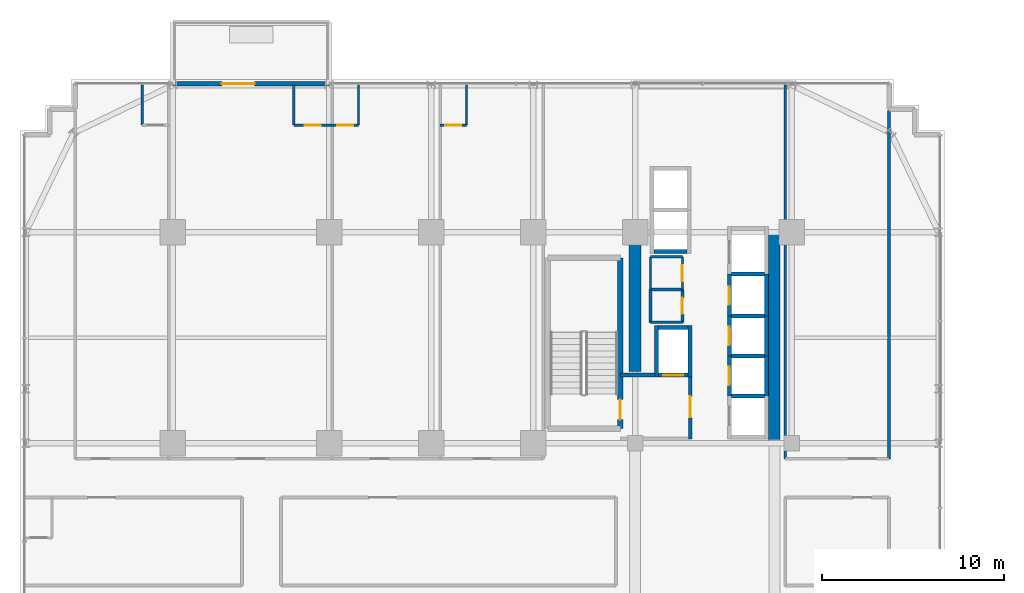
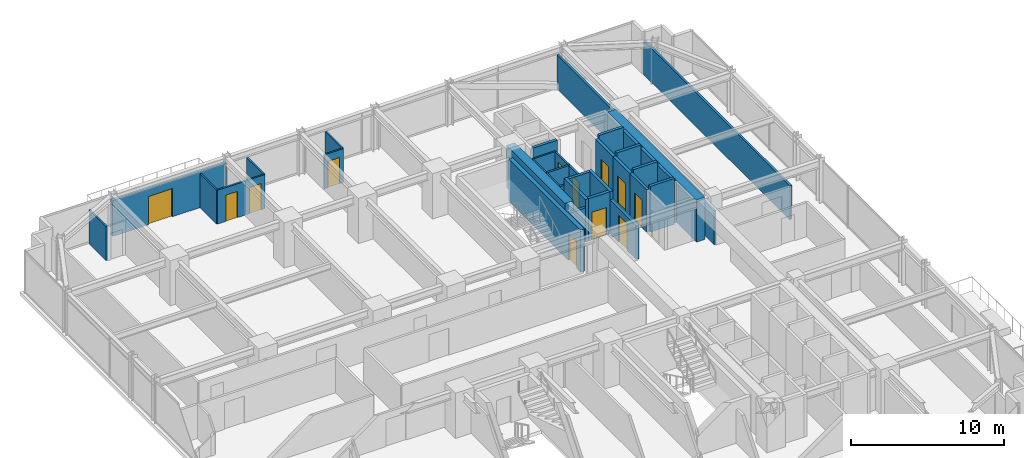
# One storey, part 31 of 35: 37 walls, 12 doors, 12 openings.
"""IFC4 building model written with IfcOpenShell, lengths in metres."""

from ifc_helpers import new_model, si_unit, direction, frame, frame_2d, origin, place, context, subcontext, project, spatial, rectangle, extrude, source, transform, mapped, material, layer, layer_set, type_object, element, fill, save


model = new_model("IFC4")

# Units and contexts
model_context = context("Model", 3, precision=1e-05, world=origin(), true_north=direction((0.0, 1.0)))
body_context = subcontext(model_context, "Body", "Model", "MODEL_VIEW")
ifc_project = project(units=[si_unit("LENGTHUNIT", "METRE"), si_unit("AREAUNIT", "SQUARE_METRE"), si_unit("VOLUMEUNIT", "CUBIC_METRE"), si_unit("PLANEANGLEUNIT", "RADIAN"), si_unit("MASSUNIT", "GRAM", prefix="KILO")], contexts=[model_context])

# Site, building, storey
site_placement = place(None, origin())
site = spatial("IfcSite", under=ifc_project, at=site_placement, CompositionType="ELEMENT")
building_placement = place(site_placement, origin())
building = spatial("IfcBuilding", under=site, at=building_placement, Name="Nahalor Promenade Grand Hotel", CompositionType="ELEMENT")
storey_placement = place(building_placement, frame((0.0, 0.0, 39.699951171875)))
storey = spatial("IfcBuildingStorey", under=building, at=storey_placement, Name="L08", CompositionType="ELEMENT", Elevation=39.699951171875)

# Walls
ifc_material_1 = material(Name="Concrete B-60 (C50/60)", Category="concrete")
ifc_layer_1 = layer(ifc_material_1, 0.64990234375)
ifc_layer_set_1 = layer_set([ifc_layer_1], Name="Concrete B-60 (C50/60)")
wall_type_1 = type_object("IfcWallType", Name="Wall-CoreShear-650", PredefinedType="SHEAR", material=ifc_layer_set_1)
shared_shape_1 = source(origin(), body_context, "Body", "SweptSolid", [
    extrude(rectangle(XDim=7.64990234375, YDim=0.64990234375, at=frame_2d((3.824951171875, 0.0))), origin(), (0.0, 0.0, 1.0), 3.3701171875),
])
wall_1_placement = place(storey_placement, frame((8.39990234375, 9.35009765625, 0.0), z_axis=(0.0, 0.0, 1.0), x_axis=(0.0, 1.0, 0.0)))
element("IfcWall", 1, at=wall_1_placement, inside=storey, type_object=wall_type_1, Name="CWALL-L08-NW", PredefinedType="SHEAR", context=body_context, shape_type="MappedRepresentation", body=[
    mapped(shared_shape_1, transform((0.0, 0.0, 0.0), scale=1.0)),
])
shared_shape_2 = source(origin(), body_context, "Body", "SweptSolid", [
    extrude(rectangle(XDim=11.60009765625, YDim=0.64990234375, at=frame_2d((5.800048828125, 0.0))), origin(), (0.0, 0.0, 1.0), 3.3701171875),
])
wall_2_placement = place(storey_placement, frame((16.050048828125, 5.39990234375, 0.0), z_axis=(0.0, 0.0, 1.0), x_axis=(0.0, 1.0, 0.0)))
element("IfcWall", 2, at=wall_2_placement, inside=storey, type_object=wall_type_1, Name="CWALL-L08-NE", PredefinedType="SHEAR", context=body_context, shape_type="MappedRepresentation", body=[
    mapped(shared_shape_2, transform((0.0, 0.0, 0.0), scale=1.0)),
])

# Wall, opening, door
ifc_material_2 = material(Name="Concrete B-50 (C40/50)", Category="concrete")
ifc_layer_2 = layer(ifc_material_2, 0.300048828125)
ifc_layer_set_2 = layer_set([ifc_layer_2], Name="Concrete B-50 (C40/50)")
wall_type_2 = type_object("IfcWallType", Name="Wall-ShaftShear-300", PredefinedType="SHEAR", material=ifc_layer_set_2)
shared_shape_3 = source(origin(), body_context, "Body", "SweptSolid", [
    extrude(rectangle(XDim=9.380126953125, YDim=0.300048828125, at=frame_2d((4.68994140625, 0.0))), origin(), (0.0, 0.0, 1.0), 3.3701171875),
])
wall_3_placement = place(storey_placement, frame((7.590087890625, 6.2099609375, 0.0), z_axis=(0.0, 0.0, 1.0), x_axis=(0.0, 1.0, 0.0)))
wall_3 = element("IfcWall", 3, at=wall_3_placement, inside=storey, type_object=wall_type_2, Name="L08 Exit Stair ST1 Shaft Wall E", PredefinedType="SHEAR", context=body_context, shape_type="MappedRepresentation", body=[
    mapped(shared_shape_3, transform((0.0, 0.0, 0.0), scale=1.0)),
])
opening_1_placement = place(wall_3_placement, frame((0.489990234375, 0.0, 0.0)))
opening_1 = element("IfcOpeningElement", 4, at=opening_1_placement, cuts=wall_3, Name="Opening D-ST1", PredefinedType="OPENING", context=body_context, shape_type="SweptSolid", body=[
    extrude(rectangle(XDim=1.10009765625, YDim=2.14990234375, at=frame_2d((0.550048828125, 1.074951171875))), frame((0.0, 0.159912109375, 0.0), z_axis=(0.0, -1.0, 0.0), x_axis=(1.0, 0.0, 0.0)), (0.0, 0.0, 1.0), 0.320068359375),
])
ifc_material_3 = material(Name="Steel S355JR", Category="steel")
door_type_1 = type_object("IfcDoorType", Name="Door-StairFire-1100", OperationType="NOTDEFINED", PredefinedType="DOOR", material=ifc_material_3)
shared_shape_4 = source(origin(), body_context, "Body", "SweptSolid", [
    extrude(rectangle(XDim=1.10009765625, YDim=2.14990234375, at=frame_2d((0.550048828125, 1.074951171875))), frame((0.0, 0.02490234375, 0.0), z_axis=(0.0, -1.0, 0.0), x_axis=(1.0, 0.0, 0.0)), (0.0, 0.0, 1.0), 0.050048828125),
])
door_1_placement = place(opening_1_placement, origin())
door_1 = element("IfcDoor", 5, at=door_1_placement, inside=storey, type_object=door_type_1, Name="DR-STAIR-ST1-L08", OperationType="SINGLE_SWING_LEFT", OverallHeight=2.14990234375, OverallWidth=1.10009765625, PredefinedType="DOOR", context=body_context, shape_type="MappedRepresentation", body=[
    mapped(shared_shape_4, transform((0.0, 0.0, 0.0), scale=1.0)),
])
fill(opening_1, door_1)

# Walls
ifc_layer_3 = layer(ifc_material_2, 0.219970703125)
ifc_layer_set_3 = layer_set([ifc_layer_3], Name="Concrete B-50 (C40/50)")
wall_type_3 = type_object("IfcWallType", Name="Wall-LiftShaft-220", PredefinedType="SHEAR", material=ifc_layer_set_3)
shared_shape_5 = source(origin(), body_context, "Body", "SweptSolid", [
    extrude(rectangle(XDim=1.820068359375, YDim=0.219970703125, at=frame_2d((0.91015625, 0.0))), origin(), (0.0, 0.0, 1.0), 3.3701171875),
])
wall_4_placement = place(storey_placement, frame((9.43994140625, 15.949951171875, 0.0), z_axis=(0.0, 0.0, 1.0), x_axis=(1.0, 0.0, 0.0)))
element("IfcWall", 6, at=wall_4_placement, inside=storey, type_object=wall_type_3, Name="L08 Lift OB1 Hoistway Wall S", PredefinedType="SHEAR", context=body_context, shape_type="MappedRepresentation", body=[
    mapped(shared_shape_5, transform((0.0, 0.0, 0.0), scale=1.0)),
])
shared_shape_6 = source(origin(), body_context, "Body", "SweptSolid", [
    extrude(rectangle(XDim=1.820068359375, YDim=0.219970703125, at=frame_2d((0.91015625, 0.0))), origin(), (0.0, 0.0, 1.0), 3.650146484375),
])
for number, where, z_axis, x_axis, name in (
    (7, (13.68994140625, 8.0, 0.0), (0.0, 0.0, 1.0), (1.0, 0.0, 0.0), "L08 Lift PL1 Hoistway Wall N"),
    (8, (13.68994140625, 10.199951171875, 0.0), (0.0, 0.0, 1.0), (1.0, 0.0, 0.0), "L08 Lift PL2 Hoistway Wall N"),
    (9, (13.68994140625, 12.39990234375, 0.0), (0.0, 0.0, 1.0), (1.0, 0.0, 0.0), "L08 Lift PL3 Hoistway Wall N"),
    (10, (13.68994140625, 14.699951171875, 0.0), (0.0, 0.0, 1.0), (1.0, 0.0, 0.0), "L08 Lift PL4 Hoistway Wall N"),
):
    element("IfcWall", number, at=place(storey_placement, frame(where, z_axis=z_axis, x_axis=x_axis)), inside=storey, type_object=wall_type_3, Name=name, PredefinedType="SHEAR", context=body_context, shape_type="MappedRepresentation", body=[
        mapped(shared_shape_6, transform((0.0, 0.0, 0.0), scale=1.0)),
    ])

# Wall, opening, door
shared_shape_7 = source(origin(), body_context, "Body", "SweptSolid", [
    extrude(rectangle(XDim=2.199951171875, YDim=0.219970703125, at=frame_2d((1.10009765625, 0.0))), origin(), (0.0, 0.0, 1.0), 3.3701171875),
])
wall_5_placement = place(storey_placement, frame((13.580078125, 8.0, 0.0), z_axis=(0.0, 0.0, 1.0), x_axis=(0.0, 1.0, 0.0)))
wall_5 = element("IfcWall", 11, at=wall_5_placement, inside=storey, type_object=wall_type_3, Name="L08 Lift PL2 Hoistway Wall W", PredefinedType="SHEAR", context=body_context, shape_type="MappedRepresentation", body=[
    mapped(shared_shape_7, transform((0.0, 0.0, 0.0), scale=1.0)),
])
opening_2_placement = place(wall_5_placement, frame((0.60009765625, 0.0, 0.0)))
opening_2 = element("IfcOpeningElement", 12, at=opening_2_placement, cuts=wall_5, Name="Opening LD-01", PredefinedType="OPENING", context=body_context, shape_type="SweptSolid", body=[
    extrude(rectangle(XDim=1.0, YDim=2.199951171875, at=frame_2d((0.5, 1.10009765625))), frame((0.0, 0.119873046875, 0.0), z_axis=(0.0, -1.0, 0.0), x_axis=(1.0, 0.0, 0.0)), (0.0, 0.0, 1.0), 0.239990234375),
])
door_type_2 = type_object("IfcDoorType", Name="Door-LiftLanding-1000", OperationType="DOUBLE_DOOR_SLIDING", PredefinedType="DOOR", material=ifc_material_3)
shared_shape_8 = source(origin(), body_context, "Body", "SweptSolid", [
    extrude(rectangle(XDim=1.0, YDim=2.199951171875, at=frame_2d((0.5, 1.10009765625))), frame((0.0, 0.02490234375, 0.0), z_axis=(0.0, -1.0, 0.0), x_axis=(1.0, 0.0, 0.0)), (0.0, 0.0, 1.0), 0.050048828125),
])
door_2_placement = place(opening_2_placement, origin())
door_2 = element("IfcDoor", 13, at=door_2_placement, inside=storey, type_object=door_type_2, Name="DR-LIFT-PL2-L08", OperationType="DOUBLE_DOOR_SLIDING", OverallHeight=2.199951171875, OverallWidth=1.0, PredefinedType="DOOR", context=body_context, shape_type="MappedRepresentation", body=[
    mapped(shared_shape_8, transform((0.0, 0.0, 0.0), scale=1.0)),
])
fill(opening_2, door_2)

# Wall
wall_6_placement = place(storey_placement, frame((15.6201171875, 8.0, 0.0), z_axis=(0.0, 0.0, 1.0), x_axis=(0.0, 1.0, 0.0)))
element("IfcWall", 14, at=wall_6_placement, inside=storey, type_object=wall_type_3, Name="L08 Lift PL2 Hoistway Wall E", PredefinedType="SHEAR", context=body_context, shape_type="MappedRepresentation", body=[
    mapped(shared_shape_7, transform((0.0, 0.0, 0.0), scale=1.0)),
])

# Wall, opening, door
wall_7_placement = place(storey_placement, frame((13.580078125, 10.199951171875, 0.0), z_axis=(0.0, 0.0, 1.0), x_axis=(0.0, 1.0, 0.0)))
wall_7 = element("IfcWall", 15, at=wall_7_placement, inside=storey, type_object=wall_type_3, Name="L08 Lift PL3 Hoistway Wall W", PredefinedType="SHEAR", context=body_context, shape_type="MappedRepresentation", body=[
    mapped(shared_shape_7, transform((0.0, 0.0, 0.0), scale=1.0)),
])
opening_3_placement = place(wall_7_placement, frame((0.60009765625, 0.0, 0.0)))
opening_3 = element("IfcOpeningElement", 16, at=opening_3_placement, cuts=wall_7, Name="Opening LD-01", PredefinedType="OPENING", context=body_context, shape_type="SweptSolid", body=[
    extrude(rectangle(XDim=1.0, YDim=2.199951171875, at=frame_2d((0.5, 1.10009765625))), frame((0.0, 0.119873046875, 0.0), z_axis=(0.0, -1.0, 0.0), x_axis=(1.0, 0.0, 0.0)), (0.0, 0.0, 1.0), 0.239990234375),
])
door_3_placement = place(opening_3_placement, origin())
door_3 = element("IfcDoor", 17, at=door_3_placement, inside=storey, type_object=door_type_2, Name="DR-LIFT-PL3-L08", OperationType="DOUBLE_DOOR_SLIDING", OverallHeight=2.199951171875, OverallWidth=1.0, PredefinedType="DOOR", context=body_context, shape_type="MappedRepresentation", body=[
    mapped(shared_shape_8, transform((0.0, 0.0, 0.0), scale=1.0)),
])
fill(opening_3, door_3)

# Wall
wall_8_placement = place(storey_placement, frame((15.6201171875, 10.199951171875, 0.0), z_axis=(0.0, 0.0, 1.0), x_axis=(0.0, 1.0, 0.0)))
element("IfcWall", 18, at=wall_8_placement, inside=storey, type_object=wall_type_3, Name="L08 Lift PL3 Hoistway Wall E", PredefinedType="SHEAR", context=body_context, shape_type="MappedRepresentation", body=[
    mapped(shared_shape_7, transform((0.0, 0.0, 0.0), scale=1.0)),
])

# Wall, opening, door
shared_shape_9 = source(origin(), body_context, "Body", "SweptSolid", [
    extrude(rectangle(XDim=2.300048828125, YDim=0.219970703125, at=frame_2d((1.14990234375, 0.0))), origin(), (0.0, 0.0, 1.0), 3.3701171875),
])
wall_9_placement = place(storey_placement, frame((13.580078125, 12.39990234375, 0.0), z_axis=(0.0, 0.0, 1.0), x_axis=(0.0, 1.0, 0.0)))
wall_9 = element("IfcWall", 19, at=wall_9_placement, inside=storey, type_object=wall_type_3, Name="L08 Lift PL4 Hoistway Wall W", PredefinedType="SHEAR", context=body_context, shape_type="MappedRepresentation", body=[
    mapped(shared_shape_9, transform((0.0, 0.0, 0.0), scale=1.0)),
])
opening_4_placement = place(wall_9_placement, frame((0.60009765625, 0.0, 0.0)))
opening_4 = element("IfcOpeningElement", 20, at=opening_4_placement, cuts=wall_9, Name="Opening LD-01", PredefinedType="OPENING", context=body_context, shape_type="SweptSolid", body=[
    extrude(rectangle(XDim=1.0, YDim=2.199951171875, at=frame_2d((0.5, 1.10009765625))), frame((0.0, 0.119873046875, 0.0), z_axis=(0.0, -1.0, 0.0), x_axis=(1.0, 0.0, 0.0)), (0.0, 0.0, 1.0), 0.239990234375),
])
door_4_placement = place(opening_4_placement, origin())
door_4 = element("IfcDoor", 21, at=door_4_placement, inside=storey, type_object=door_type_2, Name="DR-LIFT-PL4-L08", OperationType="DOUBLE_DOOR_SLIDING", OverallHeight=2.199951171875, OverallWidth=1.0, PredefinedType="DOOR", context=body_context, shape_type="MappedRepresentation", body=[
    mapped(shared_shape_8, transform((0.0, 0.0, 0.0), scale=1.0)),
])
fill(opening_4, door_4)

# Walls
wall_10_placement = place(storey_placement, frame((15.6201171875, 12.39990234375, 0.0), z_axis=(0.0, 0.0, 1.0), x_axis=(0.0, 1.0, 0.0)))
element("IfcWall", 22, at=wall_10_placement, inside=storey, type_object=wall_type_3, Name="L08 Lift PL4 Hoistway Wall E", PredefinedType="SHEAR", context=body_context, shape_type="MappedRepresentation", body=[
    mapped(shared_shape_9, transform((0.0, 0.0, 0.0), scale=1.0)),
])
shared_shape_10 = source(origin(), body_context, "Body", "SweptSolid", [
    extrude(rectangle(XDim=2.820068359375, YDim=0.219970703125, at=frame_2d((1.41015625, 0.0))), origin(), (0.0, 0.0, 1.0), 3.3701171875),
])
for number, where, z_axis, x_axis, name in (
    (23, (9.580078125, 9.0400390625, 0.0), (0.0, 0.0, 1.0), (0.0, 1.0, 0.0), "L08 Lift FL1 Hoistway Wall W"),
    (24, (11.419921875, 9.0400390625, 0.0), (0.0, 0.0, 1.0), (0.0, 1.0, 0.0), "L08 Lift FL1 Hoistway Wall E"),
):
    element("IfcWall", number, at=place(storey_placement, frame(where, z_axis=z_axis, x_axis=x_axis)), inside=storey, type_object=wall_type_3, Name=name, PredefinedType="SHEAR", context=body_context, shape_type="MappedRepresentation", body=[
        mapped(shared_shape_10, transform((0.0, 0.0, 0.0), scale=1.0)),
    ])

# Wall, opening, door
shared_shape_11 = source(origin(), body_context, "Body", "SweptSolid", [
    extrude(rectangle(XDim=1.6201171875, YDim=0.219970703125, at=frame_2d((0.81005859375, 0.0))), origin(), (0.0, 0.0, 1.0), 3.3701171875),
])
wall_11_placement = place(storey_placement, frame((9.68994140625, 9.14990234375, 0.0), z_axis=(0.0, 0.0, 1.0), x_axis=(1.0, 0.0, 0.0)))
wall_11 = element("IfcWall", 25, at=wall_11_placement, inside=storey, type_object=wall_type_3, Name="L08 Lift FL1 Hoistway Wall S", PredefinedType="SHEAR", context=body_context, shape_type="MappedRepresentation", body=[
    mapped(shared_shape_11, transform((0.0, 0.0, 0.0), scale=1.0)),
])
opening_5_placement = place(wall_11_placement, frame((0.260009765625, 0.0, 0.0)))
opening_5 = element("IfcOpeningElement", 26, at=opening_5_placement, cuts=wall_11, Name="Opening LD-02", PredefinedType="OPENING", context=body_context, shape_type="SweptSolid", body=[
    extrude(rectangle(XDim=1.10009765625, YDim=2.199951171875, at=frame_2d((0.550048828125, 1.10009765625))), frame((0.0, 0.119873046875, 0.0), z_axis=(0.0, -1.0, 0.0), x_axis=(1.0, 0.0, 0.0)), (0.0, 0.0, 1.0), 0.239990234375),
])
door_type_3 = type_object("IfcDoorType", Name="Door-LiftFF-1100", OperationType="DOUBLE_DOOR_SLIDING", PredefinedType="DOOR", material=ifc_material_3)
shared_shape_12 = source(origin(), body_context, "Body", "SweptSolid", [
    extrude(rectangle(XDim=1.10009765625, YDim=2.199951171875, at=frame_2d((0.550048828125, 1.10009765625))), frame((0.0, 0.02490234375, 0.0), z_axis=(0.0, -1.0, 0.0), x_axis=(1.0, 0.0, 0.0)), (0.0, 0.0, 1.0), 0.050048828125),
])
door_5_placement = place(opening_5_placement, frame((1.10009765625, 0.0, 0.0), z_axis=(0.0, 0.0, 1.0), x_axis=(-1.0, 0.0, 0.0)))
door_5 = element("IfcDoor", 27, at=door_5_placement, inside=storey, type_object=door_type_3, Name="DR-LIFT-FL1-L08", OperationType="DOUBLE_DOOR_SLIDING", OverallHeight=2.199951171875, OverallWidth=1.10009765625, PredefinedType="DOOR", context=body_context, shape_type="MappedRepresentation", body=[
    mapped(shared_shape_12, transform((0.0, 0.0, 0.0), scale=1.0)),
])
fill(opening_5, door_5)

# Wall
wall_12_placement = place(storey_placement, frame((9.68994140625, 11.75, 0.0), z_axis=(0.0, 0.0, 1.0), x_axis=(1.0, 0.0, 0.0)))
element("IfcWall", 28, at=wall_12_placement, inside=storey, type_object=wall_type_3, Name="L08 Lift FL1 Hoistway Wall N", PredefinedType="SHEAR", context=body_context, shape_type="MappedRepresentation", body=[
    mapped(shared_shape_11, transform((0.0, 0.0, 0.0), scale=1.0)),
])

# Wall, opening, door
ifc_material_4 = material(Name="Concrete B-40 (C32/40)", Category="concrete")
ifc_layer_4 = layer(ifc_material_4, 0.260009765625)
ifc_layer_set_4 = layer_set([ifc_layer_4], Name="Concrete B-40 (C32/40)")
wall_type_4 = type_object("IfcWallType", Name="Wall-BalconyWall-260", PredefinedType="STANDARD", material=ifc_layer_set_4)
shared_shape_13 = source(origin(), body_context, "Body", "SweptSolid", [
    extrude(rectangle(XDim=8.60009765625, YDim=0.260009765625, at=frame_2d((4.300048828125, 0.0))), origin(), (0.0, 0.0, 1.0), 2.85009765625),
])
wall_13_placement = place(storey_placement, frame((-17.0, 25.159912109375, 0.0), z_axis=(0.0, 0.0, 1.0), x_axis=(1.0, 0.0, 0.0)))
wall_13 = element("IfcWall", 29, at=wall_13_placement, inside=storey, type_object=wall_type_4, Name="W-L08-BALC-N-2", PredefinedType="STANDARD", context=body_context, shape_type="MappedRepresentation", body=[
    mapped(shared_shape_13, transform((0.0, 0.0, 0.0), scale=1.0)),
])
opening_6_placement = place(wall_13_placement, frame((2.697021484375, 0.0, 0.0)))
opening_6 = element("IfcOpeningElement", 30, at=opening_6_placement, cuts=wall_13, Name="Opening D-BC1", PredefinedType="OPENING", context=body_context, shape_type="SweptSolid", body=[
    extrude(rectangle(XDim=1.800048828125, YDim=2.25, at=frame_2d((0.89990234375, 1.125))), frame((0.0, 0.139892578125, 0.0), z_axis=(0.0, -1.0, 0.0), x_axis=(1.0, 0.0, 0.0)), (0.0, 0.0, 1.0), 0.280029296875),
])
ifc_material_5 = material(Name="Anodised Bronze Aluminium EN AW-6063 T6", Category="aluminium")
door_type_4 = type_object("IfcDoorType", Name="Door-BalconySlide-1800", OperationType="DOUBLE_DOOR_SLIDING", PredefinedType="DOOR", material=ifc_material_5)
shared_shape_14 = source(origin(), body_context, "Body", "SweptSolid", [
    extrude(rectangle(XDim=1.800048828125, YDim=2.25, at=frame_2d((0.89990234375, 1.125))), frame((0.0, 0.02490234375, 0.0), z_axis=(0.0, -1.0, 0.0), x_axis=(1.0, 0.0, 0.0)), (0.0, 0.0, 1.0), 0.050048828125),
])
door_6_placement = place(opening_6_placement, origin())
door_6 = element("IfcDoor", 31, at=door_6_placement, inside=storey, type_object=door_type_4, Name="DR-L08-BALC-N-2", OperationType="DOUBLE_DOOR_SLIDING", OverallHeight=2.25, OverallWidth=1.800048828125, PredefinedType="DOOR", context=body_context, shape_type="MappedRepresentation", body=[
    mapped(shared_shape_14, transform((0.0, 0.0, 0.0), scale=1.0)),
])
fill(opening_6, door_6)

# Wall
ifc_layer_5 = layer(ifc_material_4, 0.199951171875)
ifc_layer_set_5 = layer_set([ifc_layer_5], Name="Concrete B-40 (C32/40)")
wall_type_5 = type_object("IfcWallType", Name="Wall-PartFire-200", PredefinedType="PARTITIONING", material=ifc_layer_set_5)
shared_shape_15 = source(origin(), body_context, "Body", "SweptSolid", [
    extrude(rectangle(XDim=1.89990234375, YDim=0.199951171875, at=frame_2d((0.949951171875, 0.0))), origin(), (0.0, 0.0, 1.0), 2.7099609375),
])
wall_14_placement = place(storey_placement, frame((7.60009765625, 9.14990234375, 0.0), z_axis=(0.0, 0.0, 1.0), x_axis=(1.0, 0.0, 0.0)))
element("IfcWall", 32, at=wall_14_placement, inside=storey, type_object=wall_type_5, Name="W-L08-FF1-N", PredefinedType="PARTITIONING", context=body_context, shape_type="MappedRepresentation", body=[
    mapped(shared_shape_15, transform((0.0, 0.0, 0.0), scale=1.0)),
])

# Wall, opening, door
shared_shape_16 = source(origin(), body_context, "Body", "SweptSolid", [
    extrude(rectangle(XDim=3.5, YDim=0.199951171875, at=frame_2d((1.75, 0.0))), origin(), (0.0, 0.0, 1.0), 2.7099609375),
])
wall_15_placement = place(storey_placement, frame((11.419921875, 5.64990234375, 0.0), z_axis=(0.0, 0.0, 1.0), x_axis=(0.0, 1.0, 0.0)))
wall_15 = element("IfcWall", 33, at=wall_15_placement, inside=storey, type_object=wall_type_5, Name="W-L08-FF1-E", PredefinedType="PARTITIONING", context=body_context, shape_type="MappedRepresentation", body=[
    mapped(shared_shape_16, transform((0.0, 0.0, 0.0), scale=1.0)),
])
opening_7_placement = place(wall_15_placement, frame((1.175048828125, 0.0, 0.0)))
opening_7 = element("IfcOpeningElement", 34, at=opening_7_placement, cuts=wall_15, Name="Opening D-FF1", PredefinedType="OPENING", context=body_context, shape_type="SweptSolid", body=[
    extrude(rectangle(XDim=1.14990234375, YDim=2.14990234375, at=frame_2d((0.574951171875, 1.074951171875))), frame((0.0, 0.10986328125, 0.0), z_axis=(0.0, -1.0, 0.0), x_axis=(1.0, 0.0, 0.0)), (0.0, 0.0, 1.0), 0.219970703125),
])
door_type_5 = type_object("IfcDoorType", Name="Door-FFLobby-1150", OperationType="NOTDEFINED", PredefinedType="DOOR", material=ifc_material_3)
shared_shape_17 = source(origin(), body_context, "Body", "SweptSolid", [
    extrude(rectangle(XDim=1.14990234375, YDim=2.14990234375, at=frame_2d((0.574951171875, 1.074951171875))), frame((0.0, 0.02490234375, 0.0), z_axis=(0.0, -1.0, 0.0), x_axis=(1.0, 0.0, 0.0)), (0.0, 0.0, 1.0), 0.050048828125),
])
door_7_placement = place(opening_7_placement, frame((1.14990234375, 0.0, 0.0), z_axis=(0.0, 0.0, 1.0), x_axis=(-1.0, 0.0, 0.0)))
door_7 = element("IfcDoor", 35, at=door_7_placement, inside=storey, type_object=door_type_5, Name="DR-L08-FFL1", OperationType="SINGLE_SWING_RIGHT", OverallHeight=2.14990234375, OverallWidth=1.14990234375, PredefinedType="DOOR", context=body_context, shape_type="MappedRepresentation", body=[
    mapped(shared_shape_17, transform((0.0, 0.0, 0.0), scale=1.0)),
])
fill(opening_7, door_7)

# Walls
ifc_material_6 = material(Name="Acoustic Mineral Gypsum", Category="gypsum")
ifc_layer_6 = layer(ifc_material_6, 0.14990234375)
ifc_layer_set_6 = layer_set([ifc_layer_6], Name="Acoustic Mineral Gypsum")
wall_type_6 = type_object("IfcWallType", Name="Wall-PartService-150", PredefinedType="PARTITIONING", material=ifc_layer_set_6)
shared_shape_18 = source(origin(), body_context, "Body", "SweptSolid", [
    extrude(rectangle(XDim=1.75, YDim=0.14990234375, at=frame_2d((0.875, 0.0))), origin(), (0.0, 0.0, 1.0), 2.7099609375),
])
for number, where, z_axis, x_axis, name in (
    (36, (9.25, 12.050048828125, 0.0), (0.0, 0.0, 1.0), (1.0, 0.0, 0.0), "W-L08-CK2A-S"),
    (37, (9.25, 13.85009765625, 0.0), (0.0, 0.0, 1.0), (1.0, 0.0, 0.0), "W-L08-CK2A-N"),
):
    element("IfcWall", number, at=place(storey_placement, frame(where, z_axis=z_axis, x_axis=x_axis)), inside=storey, type_object=wall_type_6, Name=name, PredefinedType="PARTITIONING", context=body_context, shape_type="MappedRepresentation", body=[
        mapped(shared_shape_18, transform((0.0, 0.0, 0.0), scale=1.0)),
    ])
ifc_layer_7 = layer(ifc_material_6, 0.159912109375)
ifc_layer_set_7 = layer_set([ifc_layer_7], Name="Acoustic Mineral Gypsum")
wall_type_7 = type_object("IfcWallType", Name="Wall-PartCorridor-160", PredefinedType="PARTITIONING", material=ifc_layer_set_7)
shared_shape_19 = source(origin(), body_context, "Body", "SweptSolid", [
    extrude(rectangle(XDim=20.550048828125, YDim=0.159912109375, at=frame_2d((10.27490234375, 0.0))), origin(), (0.0, 0.0, 1.0), 2.7099609375),
])
wall_16_placement = place(storey_placement, frame((16.64990234375, 4.550048828125, 0.0), z_axis=(0.0, 0.0, 1.0), x_axis=(0.0, 1.0, 0.0)))
element("IfcWall", 38, at=wall_16_placement, inside=storey, type_object=wall_type_7, Name="W-L08-ENE-W", PredefinedType="PARTITIONING", context=body_context, shape_type="MappedRepresentation", body=[
    mapped(shared_shape_19, transform((0.0, 0.0, 0.0), scale=1.0)),
])
shared_shape_20 = source(origin(), body_context, "Body", "SweptSolid", [
    extrude(rectangle(XDim=19.1298828125, YDim=0.159912109375, at=frame_2d((9.56494140625, 0.0))), origin(), (0.0, 0.0, 1.0), 2.7099609375),
])
wall_17_placement = place(storey_placement, frame((22.360107421875, 4.550048828125, 0.0), z_axis=(0.0, 0.0, 1.0), x_axis=(0.0, 1.0, 0.0)))
element("IfcWall", 39, at=wall_17_placement, inside=storey, type_object=wall_type_7, Name="W-L08-ENE-E", PredefinedType="PARTITIONING", context=body_context, shape_type="MappedRepresentation", body=[
    mapped(shared_shape_20, transform((0.0, 0.0, 0.0), scale=1.0)),
])

# Wall, opening, door
ifc_layer_8 = layer(ifc_material_6, 0.1201171875)
ifc_layer_set_8 = layer_set([ifc_layer_8], Name="Acoustic Mineral Gypsum")
wall_type_8 = type_object("IfcWallType", Name="Wall-PartBath-120", PredefinedType="PARTITIONING", material=ifc_layer_set_8)
shared_shape_21 = source(origin(), body_context, "Body", "SweptSolid", [
    extrude(rectangle(XDim=1.4501953125, YDim=0.1201171875, at=frame_2d((0.72509765625, 0.0))), origin(), (0.0, 0.0, 1.0), 2.7099609375),
])
wall_18_placement = place(storey_placement, frame((-8.24609375, 22.8798828125, 0.0), z_axis=(0.0, 0.0, 1.0), x_axis=(1.0, 0.0, 0.0)))
wall_18 = element("IfcWall", 40, at=wall_18_placement, inside=storey, type_object=wall_type_8, Name="W-L08-N3-BH", PredefinedType="PARTITIONING", context=body_context, shape_type="MappedRepresentation", body=[
    mapped(shared_shape_21, transform((0.0, 0.0, 0.0), scale=1.0)),
])
opening_8_placement = place(wall_18_placement, frame((0.284912109375, 0.0, 0.0)))
opening_8 = element("IfcOpeningElement", 41, at=opening_8_placement, cuts=wall_18, Name="Opening D-03", PredefinedType="OPENING", context=body_context, shape_type="SweptSolid", body=[
    extrude(rectangle(XDim=0.8798828125, YDim=2.10009765625, at=frame_2d((0.43994140625, 1.050048828125))), frame((0.0, 0.070068359375, 0.0), z_axis=(0.0, -1.0, 0.0), x_axis=(1.0, 0.0, 0.0)), (0.0, 0.0, 1.0), 0.14013671875),
])
ifc_material_7 = material(Name="Fire-Rated Timber Composite", Category="wood")
door_type_6 = type_object("IfcDoorType", Name="Door-BathSwing-880", OperationType="NOTDEFINED", PredefinedType="DOOR", material=ifc_material_7)
shared_shape_22 = source(origin(), body_context, "Body", "SweptSolid", [
    extrude(rectangle(XDim=0.8798828125, YDim=2.10009765625, at=frame_2d((0.43994140625, 1.050048828125))), frame((0.0, 0.02490234375, 0.0), z_axis=(0.0, -1.0, 0.0), x_axis=(1.0, 0.0, 0.0)), (0.0, 0.0, 1.0), 0.050048828125),
])
door_8_placement = place(opening_8_placement, origin())
door_8 = element("IfcDoor", 42, at=door_8_placement, inside=storey, type_object=door_type_6, Name="DR-L08-N3-BATH", OperationType="SINGLE_SWING_LEFT", OverallHeight=2.10009765625, OverallWidth=0.8798828125, PredefinedType="DOOR", context=body_context, shape_type="MappedRepresentation", body=[
    mapped(shared_shape_22, transform((0.0, 0.0, 0.0), scale=1.0)),
])
fill(opening_8, door_8)

# Walls
shared_shape_23 = source(origin(), body_context, "Body", "SweptSolid", [
    extrude(rectangle(XDim=2.22021484375, YDim=0.1201171875, at=frame_2d((1.110107421875, 0.0))), origin(), (0.0, 0.0, 1.0), 2.7099609375),
])
for number, where, z_axis, x_axis, name in (
    (43, (-18.68505859375, 22.8798828125, 0.0), (0.0, 0.0, 1.0), (0.0, 1.0, 0.0), "W-L08-N1-BV"),
    (44, (-10.35595703125, 22.8798828125, 0.0), (0.0, 0.0, 1.0), (0.0, 1.0, 0.0), "W-L08-N2-BV"),
    (45, (-6.7958984375, 22.8798828125, 0.0), (0.0, 0.0, 1.0), (0.0, 1.0, 0.0), "W-L08-N3-BV"),
    (46, (-0.864013671875, 22.8798828125, 0.0), (0.0, 0.0, 1.0), (0.0, 1.0, 0.0), "W-L08-N4-BV"),
):
    element("IfcWall", number, at=place(storey_placement, frame(where, z_axis=z_axis, x_axis=x_axis)), inside=storey, type_object=wall_type_8, Name=name, PredefinedType="PARTITIONING", context=body_context, shape_type="MappedRepresentation", body=[
        mapped(shared_shape_23, transform((0.0, 0.0, 0.0), scale=1.0)),
    ])

# Wall, opening, door
shared_shape_24 = source(origin(), body_context, "Body", "SweptSolid", [
    extrude(rectangle(XDim=1.449951171875, YDim=0.1201171875, at=frame_2d((0.72509765625, 0.0))), origin(), (0.0, 0.0, 1.0), 2.7099609375),
])
wall_19_placement = place(storey_placement, frame((-2.31396484375, 22.8798828125, 0.0), z_axis=(0.0, 0.0, 1.0), x_axis=(1.0, 0.0, 0.0)))
wall_19 = element("IfcWall", 47, at=wall_19_placement, inside=storey, type_object=wall_type_8, Name="W-L08-N4-BH", PredefinedType="PARTITIONING", context=body_context, shape_type="MappedRepresentation", body=[
    mapped(shared_shape_24, transform((0.0, 0.0, 0.0), scale=1.0)),
])
opening_9_placement = place(wall_19_placement, frame((0.284912109375, 0.0, 0.0)))
opening_9 = element("IfcOpeningElement", 48, at=opening_9_placement, cuts=wall_19, Name="Opening D-03", PredefinedType="OPENING", context=body_context, shape_type="SweptSolid", body=[
    extrude(rectangle(XDim=0.8798828125, YDim=2.10009765625, at=frame_2d((0.43994140625, 1.050048828125))), frame((0.0, 0.070068359375, 0.0), z_axis=(0.0, -1.0, 0.0), x_axis=(1.0, 0.0, 0.0)), (0.0, 0.0, 1.0), 0.14013671875),
])
door_9_placement = place(opening_9_placement, origin())
door_9 = element("IfcDoor", 49, at=door_9_placement, inside=storey, type_object=door_type_6, Name="DR-L08-N4-BATH", OperationType="SINGLE_SWING_LEFT", OverallHeight=2.10009765625, OverallWidth=0.8798828125, PredefinedType="DOOR", context=body_context, shape_type="MappedRepresentation", body=[
    mapped(shared_shape_22, transform((0.0, 0.0, 0.0), scale=1.0)),
])
fill(opening_9, door_9)

# Wall
shared_shape_25 = source(origin(), body_context, "Body", "SweptSolid", [
    extrude(rectangle(XDim=1.800048828125, YDim=0.14990234375, at=frame_2d((0.89990234375, 0.0))), origin(), (0.0, 0.0, 1.0), 2.7099609375),
])
wall_20_placement = place(storey_placement, frame((9.25, 12.050048828125, 0.0), z_axis=(0.0, 0.0, 1.0), x_axis=(0.0, 1.0, 0.0)))
element("IfcWall", 50, at=wall_20_placement, inside=storey, type_object=wall_type_6, Name="W-L08-CK2A-W", PredefinedType="PARTITIONING", context=body_context, shape_type="MappedRepresentation", body=[
    mapped(shared_shape_25, transform((0.0, 0.0, 0.0), scale=1.0)),
])

# Wall, opening, door
wall_21_placement = place(storey_placement, frame((11.0, 12.050048828125, 0.0), z_axis=(0.0, 0.0, 1.0), x_axis=(0.0, 1.0, 0.0)))
wall_21 = element("IfcWall", 51, at=wall_21_placement, inside=storey, type_object=wall_type_6, Name="W-L08-CK2A-E", PredefinedType="PARTITIONING", context=body_context, shape_type="MappedRepresentation", body=[
    mapped(shared_shape_25, transform((0.0, 0.0, 0.0), scale=1.0)),
])
opening_10_placement = place(wall_21_placement, frame((0.4599609375, 0.0, 0.0)))
opening_10 = element("IfcOpeningElement", 52, at=opening_10_placement, cuts=wall_21, Name="Opening D-03", PredefinedType="OPENING", context=body_context, shape_type="SweptSolid", body=[
    extrude(rectangle(XDim=0.8798828125, YDim=2.10009765625, at=frame_2d((0.43994140625, 1.050048828125))), frame((0.0, 0.0849609375, 0.0), z_axis=(0.0, -1.0, 0.0), x_axis=(1.0, 0.0, 0.0)), (0.0, 0.0, 1.0), 0.169921875),
])
door_10_placement = place(opening_10_placement, origin())
door_10 = element("IfcDoor", 53, at=door_10_placement, inside=storey, type_object=door_type_6, Name="DR-L08-CK2A", OperationType="SINGLE_SWING_RIGHT", OverallHeight=2.10009765625, OverallWidth=0.8798828125, PredefinedType="DOOR", context=body_context, shape_type="MappedRepresentation", body=[
    mapped(shared_shape_22, transform((0.0, 0.0, 0.0), scale=1.0)),
])
fill(opening_10, door_10)

# Walls
shared_shape_26 = source(origin(), body_context, "Body", "SweptSolid", [
    extrude(rectangle(XDim=1.75, YDim=0.1201171875, at=frame_2d((0.875, 0.0))), origin(), (0.0, 0.0, 1.0), 2.7099609375),
])
wall_22_placement = place(storey_placement, frame((9.25, 15.64990234375, 0.0), z_axis=(0.0, 0.0, 1.0), x_axis=(1.0, 0.0, 0.0)))
element("IfcWall", 54, at=wall_22_placement, inside=storey, type_object=wall_type_8, Name="W-L08-CK2B-N", PredefinedType="PARTITIONING", context=body_context, shape_type="MappedRepresentation", body=[
    mapped(shared_shape_26, transform((0.0, 0.0, 0.0), scale=1.0)),
])
shared_shape_27 = source(origin(), body_context, "Body", "SweptSolid", [
    extrude(rectangle(XDim=1.7998046875, YDim=0.1201171875, at=frame_2d((0.89990234375, 0.0))), origin(), (0.0, 0.0, 1.0), 2.7099609375),
])
wall_23_placement = place(storey_placement, frame((9.25, 13.85009765625, 0.0), z_axis=(0.0, 0.0, 1.0), x_axis=(0.0, 1.0, 0.0)))
element("IfcWall", 55, at=wall_23_placement, inside=storey, type_object=wall_type_8, Name="W-L08-CK2B-W", PredefinedType="PARTITIONING", context=body_context, shape_type="MappedRepresentation", body=[
    mapped(shared_shape_27, transform((0.0, 0.0, 0.0), scale=1.0)),
])

# Wall, opening, door
wall_24_placement = place(storey_placement, frame((11.0, 13.85009765625, 0.0), z_axis=(0.0, 0.0, 1.0), x_axis=(0.0, 1.0, 0.0)))
wall_24 = element("IfcWall", 56, at=wall_24_placement, inside=storey, type_object=wall_type_8, Name="W-L08-CK2B-E", PredefinedType="PARTITIONING", context=body_context, shape_type="MappedRepresentation", body=[
    mapped(shared_shape_27, transform((0.0, 0.0, 0.0), scale=1.0)),
])
opening_11_placement = place(wall_24_placement, frame((0.4599609375, 0.0, 0.0)))
opening_11 = element("IfcOpeningElement", 57, at=opening_11_placement, cuts=wall_24, Name="Opening D-03", PredefinedType="OPENING", context=body_context, shape_type="SweptSolid", body=[
    extrude(rectangle(XDim=0.8798828125, YDim=2.10009765625, at=frame_2d((0.43994140625, 1.050048828125))), frame((0.0, 0.070068359375, 0.0), z_axis=(0.0, -1.0, 0.0), x_axis=(1.0, 0.0, 0.0)), (0.0, 0.0, 1.0), 0.14013671875),
])
door_11_placement = place(opening_11_placement, origin())
door_11 = element("IfcDoor", 58, at=door_11_placement, inside=storey, type_object=door_type_6, Name="DR-L08-CK2B", OperationType="SINGLE_SWING_LEFT", OverallHeight=2.10009765625, OverallWidth=0.8798828125, PredefinedType="DOOR", context=body_context, shape_type="MappedRepresentation", body=[
    mapped(shared_shape_22, transform((0.0, 0.0, 0.0), scale=1.0)),
])
fill(opening_11, door_11)

shared_shape_28 = source(origin(), body_context, "Body", "SweptSolid", [
    extrude(rectangle(XDim=2.10986328125, YDim=0.1201171875, at=frame_2d((1.054931640625, 0.0))), origin(), (0.0, 0.0, 1.0), 2.7099609375),
])
wall_25_placement = place(storey_placement, frame((-10.35595703125, 22.8798828125, 0.0), z_axis=(0.0, 0.0, 1.0), x_axis=(1.0, 0.0, 0.0)))
wall_25 = element("IfcWall", 59, at=wall_25_placement, inside=storey, type_object=wall_type_8, Name="W-L08-N2-BH", PredefinedType="PARTITIONING", context=body_context, shape_type="MappedRepresentation", body=[
    mapped(shared_shape_28, transform((0.0, 0.0, 0.0), scale=1.0)),
])
opening_12_placement = place(wall_25_placement, frame((0.614990234375, 0.0, 0.0)))
opening_12 = element("IfcOpeningElement", 60, at=opening_12_placement, cuts=wall_25, Name="Opening D-03", PredefinedType="OPENING", context=body_context, shape_type="SweptSolid", body=[
    extrude(rectangle(XDim=0.8798828125, YDim=2.10009765625, at=frame_2d((0.43994140625, 1.050048828125))), frame((0.0, 0.070068359375, 0.0), z_axis=(0.0, -1.0, 0.0), x_axis=(1.0, 0.0, 0.0)), (0.0, 0.0, 1.0), 0.14013671875),
])
door_12_placement = place(opening_12_placement, origin())
door_12 = element("IfcDoor", 61, at=door_12_placement, inside=storey, type_object=door_type_6, Name="DR-L08-N2-BATH", OperationType="SINGLE_SWING_RIGHT", OverallHeight=2.10009765625, OverallWidth=0.8798828125, PredefinedType="DOOR", context=body_context, shape_type="MappedRepresentation", body=[
    mapped(shared_shape_22, transform((0.0, 0.0, 0.0), scale=1.0)),
])
fill(opening_12, door_12)

save(model, "model.ifc")
